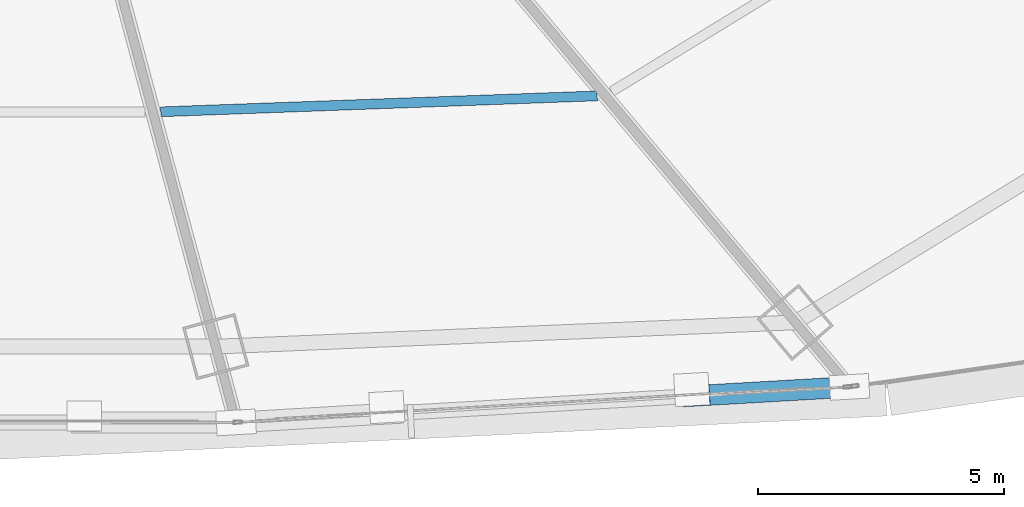
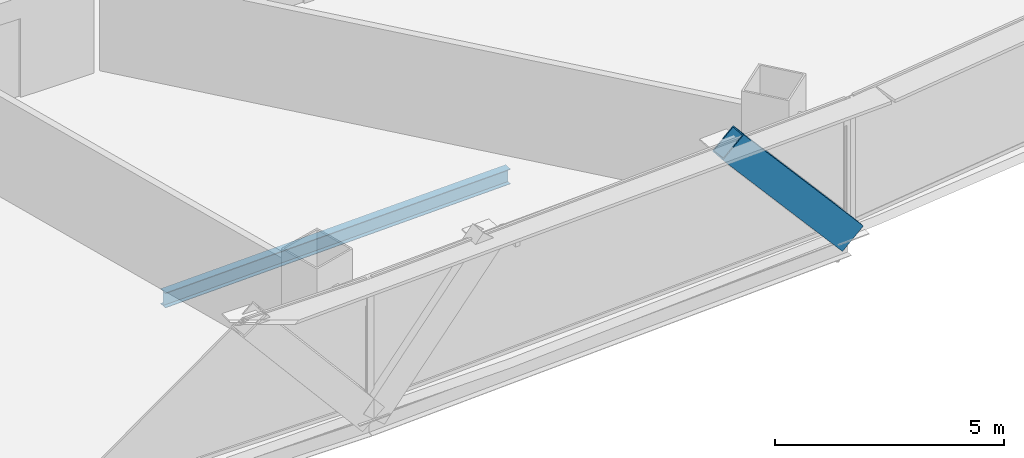
# One storey, part 11 of 42: 1 beam, 1 member.
"""IFC4 building model written with IfcOpenShell, lengths in metres."""

from ifc_helpers import new_model, si_unit, direction, frame, origin, origin_2d, place, context, subcontext, project, spatial, hollow_rectangle, i_section, extrude, source, transform, mapped, material, material_profile, profile_set, type_object, element, save


model = new_model("IFC4")

# Units and contexts
model_context = context("Model", 3, precision=1e-05, world=origin(), true_north=direction((0.0, 1.0)))
body_context = subcontext(model_context, "Body", "Model", "MODEL_VIEW")
ifc_project = project(units=[si_unit("LENGTHUNIT", "METRE"), si_unit("AREAUNIT", "SQUARE_METRE"), si_unit("VOLUMEUNIT", "CUBIC_METRE"), si_unit("PLANEANGLEUNIT", "RADIAN"), si_unit("MASSUNIT", "GRAM", prefix="KILO"), si_unit("THERMODYNAMICTEMPERATUREUNIT", "KELVIN"), si_unit("POWERUNIT", "WATT")], contexts=[model_context])

# Site, building, storey
site_placement = place(None, origin())
site = spatial("IfcSite", under=ifc_project, at=site_placement, CompositionType="ELEMENT")
building_placement = place(site_placement, origin())
building = spatial("IfcBuilding", under=site, at=building_placement, Name="Yunzhuo Pagoda Commons", CompositionType="ELEMENT")
storey_placement = place(building_placement, frame((0.0, 0.0, 48.550048828125)))
storey = spatial("IfcBuildingStorey", under=building, at=storey_placement, Name="L12", CompositionType="ELEMENT", Elevation=48.550048828125)

# Beam
ifc_material_1 = material(Name="Structural steel Q355B", Category="steel")
ifc_material_profile_1 = material_profile(ifc_material_1, i_section(OverallWidth=0.199951171875, OverallDepth=0.39990234375, WebThickness=0.008056640625, FlangeThickness=0.012939453125, at=origin_2d()), Name="Structural steel Q355B")
ifc_profile_set_1 = profile_set([ifc_material_profile_1], Name="Structural steel Q355B")
beam_type = type_object("IfcBeamType", Name="B-JS1 Joist HN 400x200x8x13", PredefinedType="JOIST", material=ifc_profile_set_1)
shared_shape_1 = source(origin(), body_context, "Body", "SweptSolid", [
    extrude(i_section(OverallWidth=0.199951171875, OverallDepth=0.39990234375, WebThickness=0.008056640625, FlangeThickness=0.012939453125, at=origin_2d()), origin(), (0.0, 0.0, 1.0), 8.876953125),
])
beam_placement = place(storey_placement, frame((52.601806640625, 17.125, -0.4599609375), z_axis=(0.999335806416, 0.036440993601, 0.0), x_axis=(-0.036440993601, 0.999335806416, 0.0)))
element("IfcBeam", 1, at=beam_placement, inside=storey, type_object=beam_type, Name="L12 composite ring joist 2.3", PredefinedType="JOIST", context=body_context, shape_type="MappedRepresentation", body=[
    mapped(shared_shape_1, transform((0.0, 0.0, 0.0), scale=1.0)),
])

# Member
ifc_material_2 = material(Name="Structural steel Q420B", Category="steel")
ifc_material_profile_2 = material_profile(ifc_material_2, hollow_rectangle(XDim=0.419921875, YDim=0.719970703125, WallThickness=0.028076171875, at=origin_2d()), Name="Structural steel Q420B")
ifc_profile_set_2 = profile_set([ifc_material_profile_2], Name="Structural steel Q420B")
member_type = type_object("IfcMemberType", Name="M-DL1 Brace BOX 720x420x28", PredefinedType="BRACE", material=ifc_profile_set_2)
shared_shape_2 = source(origin(), body_context, "Body", "SweptSolid", [
    extrude(hollow_rectangle(XDim=0.419921875, YDim=0.719970703125, WallThickness=0.028076171875, at=origin_2d()), origin(), (0.0, 0.0, 1.0), 4.787841796875),
])
member_placement = place(storey_placement, frame((66.600341796875, 11.532958984375, -0.260009765625), z_axis=(-0.65100498202, -0.037682515995, 0.758137547793), x_axis=(0.057786879313, -0.998328942072, 0.0)))
element("IfcMember", 2, at=member_placement, inside=storey, type_object=member_type, Name="L12 facade diamond brace F1.3R", PredefinedType="BRACE", context=body_context, shape_type="MappedRepresentation", body=[
    mapped(shared_shape_2, transform((0.0, 0.0, 0.0), scale=1.0)),
])

save(model, "model.ifc")
